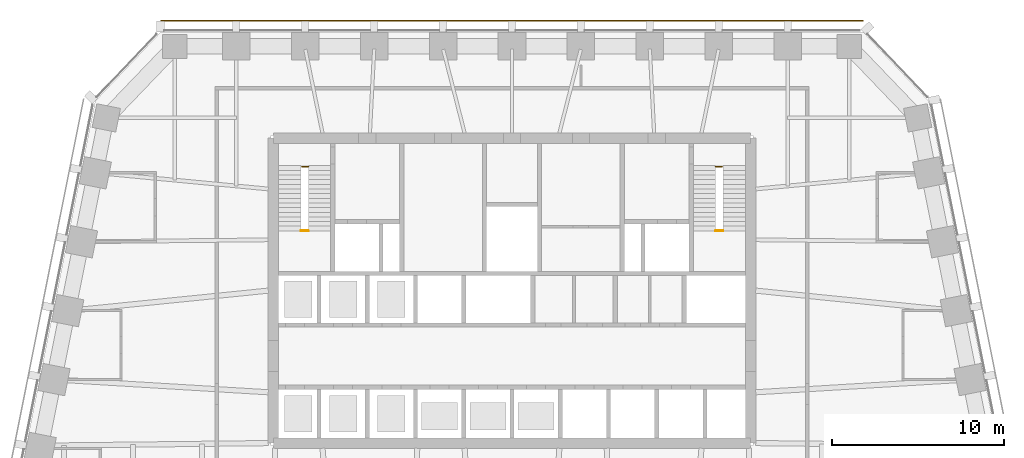
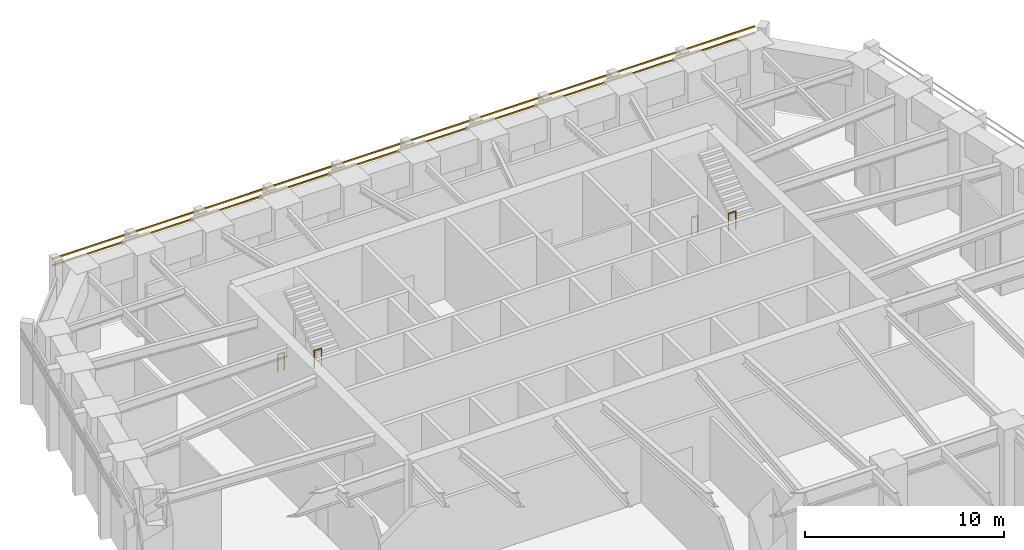
# One storey, part 10 of 11: 4 railings, 2 shading devices.
"""IFC4 building model written with IfcOpenShell, lengths in metres."""

import ifcopenshell
import ifcopenshell.guid

model = None  # the IFC model being written
_history = None  # IfcOwnerHistory: only IFC2X3 demands one
_inside = {}  # id of a spatial element -> (the spatial element, [elements in it])
_under = {}  # id of a project, library or spatial element -> (it, [spatial elements below it])
_declared = {}  # id of a project -> (the project, [libraries it declares])
_typed = {}  # id of a type object -> (the type object, [elements of that type])
_made_of = {}  # id of a material, layer set ... -> (it, [elements and type objects made of it])


def new_model(schema):
    """Start an empty IFC model of exactly this schema.

    Asked for "IFC4X3", IfcOpenShell would pick the latest addendum, in which some entities
    have other attributes; the version numbers below select the first issue.
    IFC2X3 requires an IfcOwnerHistory on every rooted entity: one is made here for all.
    """
    global model, _history
    if schema == "IFC4X3":
        model = ifcopenshell.file(schema_version=(4, 3, 0, 0))
    else:
        model = ifcopenshell.file(schema=schema)
    _inside.clear()
    _under.clear()
    _declared.clear()
    _typed.clear()
    _made_of.clear()
    _history = None
    if model.schema == "IFC2X3":
        org = make("IfcOrganization", Name="unknown")
        user = make(
            "IfcPersonAndOrganization",
            ThePerson=make("IfcPerson", FamilyName="unknown"),
            TheOrganization=org,
        )
        app = make(
            "IfcApplication",
            ApplicationDeveloper=org,
            Version="unknown",
            ApplicationFullName="unknown",
            ApplicationIdentifier="unknown",
        )
        _history = make(
            "IfcOwnerHistory",
            OwningUser=user,
            OwningApplication=app,
            ChangeAction="ADDED",
            CreationDate=0,
        )
    return model


def make(cls, **values):
    """One entity of the class cls with the attributes given. An attribute that is None is left unset."""
    return model.create_entity(
        cls, **{name: value for name, value in values.items() if value is not None}
    )


def rooted(cls, **values):
    """An entity with a GlobalId (a new one), such as an element, a storey or a relation."""
    return make(cls, GlobalId=ifcopenshell.guid.new(), OwnerHistory=_history, **values)


def si_unit(unit_type, name, prefix=None):
    """IfcSIUnit, for example si_unit("LENGTHUNIT", "METRE", prefix="MILLI")."""
    return make("IfcSIUnit", UnitType=unit_type, Prefix=prefix, Name=name)


def assignment(units):
    """IfcUnitAssignment: the units of a project."""
    return None if units is None else make("IfcUnitAssignment", Units=units)


def point(xyz):
    """IfcCartesianPoint."""
    return None if xyz is None else make("IfcCartesianPoint", Coordinates=xyz)


def direction(xyz):
    """IfcDirection."""
    return None if xyz is None else make("IfcDirection", DirectionRatios=xyz)


def frame(location, z_axis=None, x_axis=None):
    """IfcAxis2Placement3D, a coordinate frame: its origin and axes. An axis left out is left unset."""
    return make(
        "IfcAxis2Placement3D",
        Location=point(location),
        Axis=direction(z_axis),
        RefDirection=direction(x_axis),
    )


def frame_2d(location, x_axis=None):
    """IfcAxis2Placement2D, a coordinate frame in the plane: its origin and x axis."""
    return make(
        "IfcAxis2Placement2D", Location=point(location), RefDirection=direction(x_axis)
    )


def origin():
    """The frame at (0, 0, 0) with its axes left unset."""
    return frame((0.0, 0.0, 0.0))


def origin_2d():
    """The frame at (0, 0) in the plane with its x axis left unset."""
    return frame_2d((0.0, 0.0))


def place(relative_to, where):
    """IfcLocalPlacement: puts the frame where relative to a parent placement (None: the world)."""
    return make(
        "IfcLocalPlacement", PlacementRelTo=relative_to, RelativePlacement=where
    )


def context(
    kind, dimensions, precision=None, world=None, true_north=None, identifier=None
):
    """IfcGeometricRepresentationContext, for example the 3D "Model" context."""
    return make(
        "IfcGeometricRepresentationContext",
        ContextIdentifier=identifier,
        ContextType=kind,
        CoordinateSpaceDimension=dimensions,
        Precision=precision,
        WorldCoordinateSystem=world,
        TrueNorth=true_north,
    )


def subcontext(parent, identifier, kind, view, scale=None):
    """IfcGeometricRepresentationSubContext, for example "Body" below "Model"."""
    return make(
        "IfcGeometricRepresentationSubContext",
        ContextIdentifier=identifier,
        ContextType=kind,
        ParentContext=parent,
        TargetScale=scale,
        TargetView=view,
    )


def project(units=None, contexts=None):
    """IfcProject with its units and contexts."""
    return rooted(
        "IfcProject",
        Name="project",
        RepresentationContexts=contexts,
        UnitsInContext=assignment(units),
    )


def spatial(cls, under=None, at=None, **own):
    """A site, building, storey or space (cls), placed at a placement, below another one or the project."""
    s = rooted(cls, ObjectPlacement=at, **own)
    if under is not None:
        _under.setdefault(under.id(), (under, []))[1].append(s)
    return s


def profile(cls, at=None, kind="AREA", **sizes):
    """A parametric profile (cls). Its sizes go by their IFC names, for example OverallWidth=200.0."""
    return make(cls, ProfileType=kind, Position=at, **sizes)


def rectangle(**sizes):
    """IfcRectangleProfileDef."""
    return profile("IfcRectangleProfileDef", **sizes)


def circle(**sizes):
    """IfcCircleProfileDef."""
    return profile("IfcCircleProfileDef", **sizes)


def extrude(swept, where, along, depth):
    """IfcExtrudedAreaSolid: the profile swept, set in the frame where, extruded along a direction by depth."""
    return make(
        "IfcExtrudedAreaSolid",
        SweptArea=swept,
        Position=where,
        ExtrudedDirection=direction(along),
        Depth=depth,
    )


def shape(context_of_items, identifier, shape_type, items):
    """IfcShapeRepresentation: the items that make up one representation, for example the "Body"."""
    return make(
        "IfcShapeRepresentation",
        ContextOfItems=context_of_items,
        RepresentationIdentifier=identifier,
        RepresentationType=shape_type,
        Items=items,
    )


def material(Name=None, Category=None):
    """IfcMaterial."""
    return make("IfcMaterial", Name=Name, Category=Category)


def material_profile(
    of_material, cross_section, Name=None, Category=None, Priority=None
):
    """IfcMaterialProfile: a cross section and its material."""
    return make(
        "IfcMaterialProfile",
        Name=Name,
        Material=of_material,
        Profile=cross_section,
        Priority=Priority,
        Category=Category,
    )


def profile_set(profiles, Name=None, composite=None):
    """IfcMaterialProfileSet."""
    return make(
        "IfcMaterialProfileSet",
        Name=Name,
        MaterialProfiles=profiles,
        CompositeProfile=composite,
    )


def made_of(thing, what):
    """Note that an element or type object is made of a material, layer set ...; save() writes the relation."""
    if what is not None:
        _made_of.setdefault(what.id(), (what, []))[1].append(thing)
    return thing


def type_object(cls, material=None, **own):
    """A type object (cls), such as IfcWallType, which elements share."""
    return made_of(rooted(cls, **own), material)


def element(
    cls,
    number,
    at=None,
    inside=None,
    cuts=None,
    type_object=None,
    material=None,
    context=None,
    identifier="Body",
    shape_type=None,
    held_by="IfcProductDefinitionShape",
    body=None,
    shapes=None,
    **own,
):
    """One element of the class cls, such as IfcWall. Its Tag is "e" and its number.

    at: its placement. inside: the storey or other place that contains it. cuts: it is an
    opening in that element (IfcRelVoidsElement). A single representation is given by context,
    identifier, shape_type and body (its items); several are given by shapes. held_by: the class
    of the entity that holds the representations. save() writes the other relations.
    """
    e = rooted(cls, Tag="e%d" % number, ObjectPlacement=at, **own)
    if body is not None:
        shapes = [shape(context, identifier, shape_type, body)]
    if shapes is not None:
        e.Representation = make(held_by, Representations=shapes)
    if inside is not None:
        _inside.setdefault(inside.id(), (inside, []))[1].append(e)
    if cuts is not None:
        rooted(
            "IfcRelVoidsElement", RelatingBuildingElement=cuts, RelatedOpeningElement=e
        )
    if type_object is not None:
        _typed.setdefault(type_object.id(), (type_object, []))[1].append(e)
    return made_of(e, material)


def aggregate(whole, parts):
    """IfcRelAggregates: a whole, such as a stair, and the parts it consists of."""
    return rooted("IfcRelAggregates", RelatingObject=whole, RelatedObjects=parts)


def save(model, path):
    """Write the relations noted so far, then the file.

    IfcRelAggregates (storeys below a building ...), IfcRelContainedInSpatialStructure (elements
    in a storey), IfcRelDefinesByType, IfcRelAssociatesMaterial and IfcRelDeclares: one each for
    every whole, place, type object, material and project.
    """
    for whole, parts in _under.values():
        aggregate(whole, parts)
    for where, things in _inside.values():
        rooted(
            "IfcRelContainedInSpatialStructure",
            RelatedElements=things,
            RelatingStructure=where,
        )
    for kind, things in _typed.values():
        rooted("IfcRelDefinesByType", RelatedObjects=things, RelatingType=kind)
    for what, things in _made_of.values():
        rooted("IfcRelAssociatesMaterial", RelatedObjects=things, RelatingMaterial=what)
    for by, libraries in _declared.values():
        rooted("IfcRelDeclares", RelatingContext=by, RelatedDefinitions=libraries)
    model.write(path)


model = new_model("IFC4")

# Units and contexts
model_context = context("Model", 3, precision=1e-05, world=origin(), true_north=direction((0.0, 1.0)))
body_context = subcontext(model_context, "Body", "Model", "MODEL_VIEW")
ifc_project = project(units=[si_unit("LENGTHUNIT", "METRE"), si_unit("AREAUNIT", "SQUARE_METRE"), si_unit("VOLUMEUNIT", "CUBIC_METRE"), si_unit("PLANEANGLEUNIT", "RADIAN"), si_unit("MASSUNIT", "GRAM", prefix="KILO")], contexts=[model_context])

# Site, building, storey
site_placement = place(None, origin())
site = spatial("IfcSite", under=ifc_project, at=site_placement, CompositionType="ELEMENT")
building_placement = place(site_placement, origin())
building = spatial("IfcBuilding", under=site, at=building_placement, Name="Isbrekke Arena Tower", CompositionType="ELEMENT")
storey_placement = place(building_placement, frame((0.0, 0.0, 173.0)))
storey = spatial("IfcBuildingStorey", under=building, at=storey_placement, Name="L39", CompositionType="ELEMENT", Elevation=173.0)

# Shading devices
ifc_material_1 = material(Name="Terracotta", Category="masonry")
ifc_material_profile = material_profile(ifc_material_1, rectangle(XDim=0.06005859375, YDim=0.06005859375, at=origin_2d()), Name="BAGUETTE 60X60")
ifc_profile_set = profile_set([ifc_material_profile], Name="Terracotta")
shading_device_type = type_object("IfcShadingDeviceType", Name="BG1 TERRACOTTA BAGUETTE 60 x 60", PredefinedType="USERDEFINED", material=ifc_profile_set)
for number, where, z_axis, x_axis, name in (
    (1, (20.39990234375, 30.679931640625, 4.280029296875), (-1.0, 0.0, 0.0), (0.0, -1.0, 0.0), "BG1 terracotta baguette N1 L39"),
    (2, (20.39990234375, 30.679931640625, 4.679931640625), (-1.0, 0.0, 0.0), (0.0, -1.0, 0.0), "BG1 terracotta baguette N2 L39"),
):
    element("IfcShadingDevice", number, at=place(storey_placement, frame(where, z_axis=z_axis, x_axis=x_axis)), inside=storey, type_object=shading_device_type, Name=name, ObjectType="TERRACOTTA BAGUETTE", PredefinedType="USERDEFINED", context=body_context, shape_type="SweptSolid", body=[
        extrude(rectangle(XDim=0.06005859375, YDim=0.06005859375, at=origin_2d()), origin(), (0.0, 0.0, 1.0), 40.7998046875),
    ])

# Railings
ifc_material_2 = material(Name="Steel stair guard, vertical bars, steel handrail", Category="steel")
railing_type = type_object("IfcRailingType", Name="GR3 STAIR WELL GUARD 1100", PredefinedType="GUARDRAIL", material=ifc_material_2)
railing_1_placement = place(storey_placement, frame((-12.199951171875, 22.199951171875, 0.0)))
element("IfcRailing", 3, at=railing_1_placement, inside=storey, type_object=railing_type, Name="GR3 stair well guard ST1 L39", PredefinedType="GUARDRAIL", context=body_context, shape_type="SweptSolid", body=[
    extrude(circle(Radius=0.02392578125, at=origin_2d()), frame((0.0, 0.0, 1.076171875), z_axis=(1.0, 0.0, 0.0), x_axis=(0.0, 1.0, 0.0)), (0.0, 0.0, 1.0), 0.375),
    extrude(circle(Radius=0.02099609375, at=origin_2d()), origin(), (0.0, 0.0, 1.0), 1.052001953125),
    extrude(circle(Radius=0.02099609375, at=origin_2d()), frame((0.375, 0.0, 0.0)), (0.0, 0.0, 1.0), 1.052001953125),
])
railing_2_placement = place(storey_placement, frame((-12.25, 18.469970703125, 2.5)))
element("IfcRailing", 4, at=railing_2_placement, inside=storey, type_object=railing_type, Name="GR3 stair well guard ST1 L39", PredefinedType="GUARDRAIL", context=body_context, shape_type="SweptSolid", body=[
    extrude(circle(Radius=0.02392578125, at=origin_2d()), frame((0.0, 0.0, 1.076171875), z_axis=(1.0, 0.0, 0.0), x_axis=(0.0, 1.0, 0.0)), (0.0, 0.0, 1.0), 0.425048828125),
    extrude(circle(Radius=0.02099609375, at=origin_2d()), origin(), (0.0, 0.0, 1.0), 1.052001953125),
    extrude(circle(Radius=0.02099609375, at=origin_2d()), frame((0.425048828125, 0.0, 0.0)), (0.0, 0.0, 1.0), 1.052001953125),
])
railing_3_placement = place(storey_placement, frame((11.824951171875, 22.199951171875, 0.0)))
element("IfcRailing", 5, at=railing_3_placement, inside=storey, type_object=railing_type, Name="GR3 stair well guard ST2 L39", PredefinedType="GUARDRAIL", context=body_context, shape_type="SweptSolid", body=[
    extrude(circle(Radius=0.02392578125, at=origin_2d()), frame((0.0, 0.0, 1.076171875), z_axis=(1.0, 0.0, 0.0), x_axis=(0.0, 1.0, 0.0)), (0.0, 0.0, 1.0), 0.375),
    extrude(circle(Radius=0.02099609375, at=origin_2d()), origin(), (0.0, 0.0, 1.0), 1.052001953125),
    extrude(circle(Radius=0.02099609375, at=origin_2d()), frame((0.375, 0.0, 0.0)), (0.0, 0.0, 1.0), 1.052001953125),
])
railing_4_placement = place(storey_placement, frame((11.824951171875, 18.469970703125, 2.5)))
element("IfcRailing", 6, at=railing_4_placement, inside=storey, type_object=railing_type, Name="GR3 stair well guard ST2 L39", PredefinedType="GUARDRAIL", context=body_context, shape_type="SweptSolid", body=[
    extrude(circle(Radius=0.02392578125, at=origin_2d()), frame((0.0, 0.0, 1.076171875), z_axis=(1.0, 0.0, 0.0), x_axis=(0.0, 1.0, 0.0)), (0.0, 0.0, 1.0), 0.425048828125),
    extrude(circle(Radius=0.02099609375, at=origin_2d()), origin(), (0.0, 0.0, 1.0), 1.052001953125),
    extrude(circle(Radius=0.02099609375, at=origin_2d()), frame((0.425048828125, 0.0, 0.0)), (0.0, 0.0, 1.0), 1.052001953125),
])

save(model, "model.ifc")
